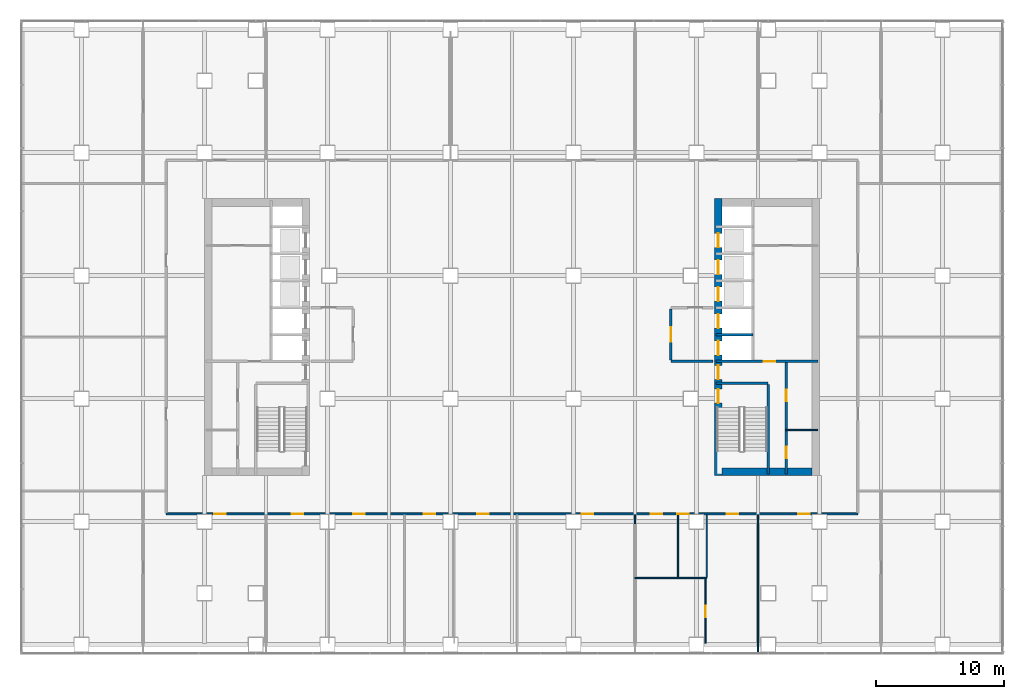
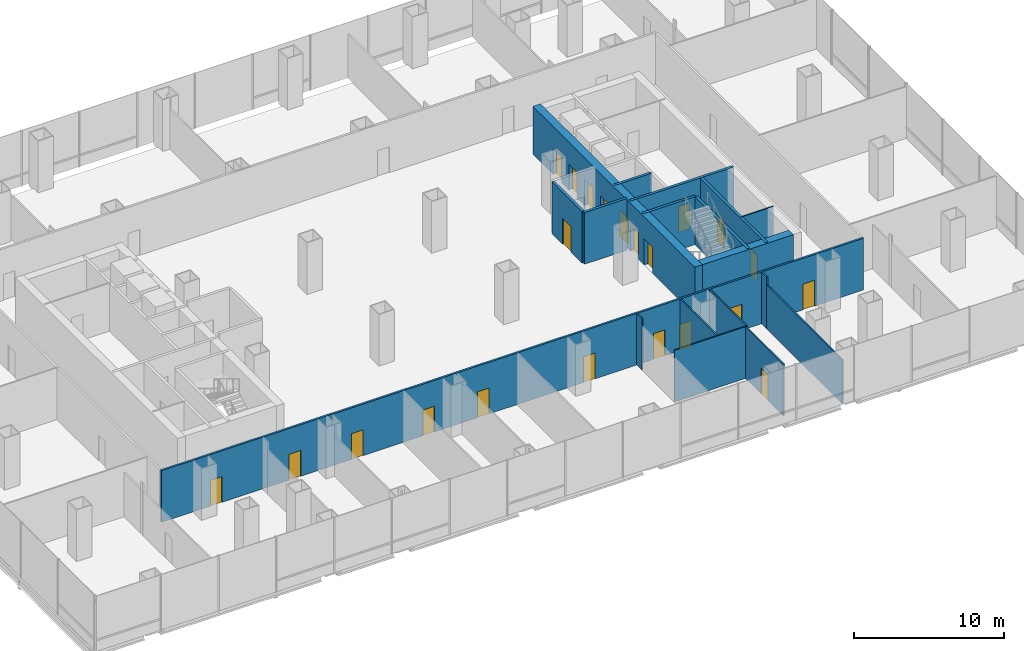
# One storey, part 17 of 23: 22 doors, 18 walls, 22 openings.
"""IFC4 building model written with IfcOpenShell, lengths in metres."""

import ifcopenshell
import ifcopenshell.guid

model = None  # the IFC model being written
_history = None  # IfcOwnerHistory: only IFC2X3 demands one
_inside = {}  # id of a spatial element -> (the spatial element, [elements in it])
_under = {}  # id of a project, library or spatial element -> (it, [spatial elements below it])
_declared = {}  # id of a project -> (the project, [libraries it declares])
_typed = {}  # id of a type object -> (the type object, [elements of that type])
_made_of = {}  # id of a material, layer set ... -> (it, [elements and type objects made of it])


def new_model(schema):
    """Start an empty IFC model of exactly this schema.

    Asked for "IFC4X3", IfcOpenShell would pick the latest addendum, in which some entities
    have other attributes; the version numbers below select the first issue.
    IFC2X3 requires an IfcOwnerHistory on every rooted entity: one is made here for all.
    """
    global model, _history
    if schema == "IFC4X3":
        model = ifcopenshell.file(schema_version=(4, 3, 0, 0))
    else:
        model = ifcopenshell.file(schema=schema)
    _inside.clear()
    _under.clear()
    _declared.clear()
    _typed.clear()
    _made_of.clear()
    _history = None
    if model.schema == "IFC2X3":
        org = make("IfcOrganization", Name="unknown")
        user = make(
            "IfcPersonAndOrganization",
            ThePerson=make("IfcPerson", FamilyName="unknown"),
            TheOrganization=org,
        )
        app = make(
            "IfcApplication",
            ApplicationDeveloper=org,
            Version="unknown",
            ApplicationFullName="unknown",
            ApplicationIdentifier="unknown",
        )
        _history = make(
            "IfcOwnerHistory",
            OwningUser=user,
            OwningApplication=app,
            ChangeAction="ADDED",
            CreationDate=0,
        )
    return model


def make(cls, **values):
    """One entity of the class cls with the attributes given. An attribute that is None is left unset."""
    return model.create_entity(
        cls, **{name: value for name, value in values.items() if value is not None}
    )


def rooted(cls, **values):
    """An entity with a GlobalId (a new one), such as an element, a storey or a relation."""
    return make(cls, GlobalId=ifcopenshell.guid.new(), OwnerHistory=_history, **values)


def si_unit(unit_type, name, prefix=None):
    """IfcSIUnit, for example si_unit("LENGTHUNIT", "METRE", prefix="MILLI")."""
    return make("IfcSIUnit", UnitType=unit_type, Prefix=prefix, Name=name)


def assignment(units):
    """IfcUnitAssignment: the units of a project."""
    return None if units is None else make("IfcUnitAssignment", Units=units)


def point(xyz):
    """IfcCartesianPoint."""
    return None if xyz is None else make("IfcCartesianPoint", Coordinates=xyz)


def direction(xyz):
    """IfcDirection."""
    return None if xyz is None else make("IfcDirection", DirectionRatios=xyz)


def frame(location, z_axis=None, x_axis=None):
    """IfcAxis2Placement3D, a coordinate frame: its origin and axes. An axis left out is left unset."""
    return make(
        "IfcAxis2Placement3D",
        Location=point(location),
        Axis=direction(z_axis),
        RefDirection=direction(x_axis),
    )


def frame_2d(location, x_axis=None):
    """IfcAxis2Placement2D, a coordinate frame in the plane: its origin and x axis."""
    return make(
        "IfcAxis2Placement2D", Location=point(location), RefDirection=direction(x_axis)
    )


def origin():
    """The frame at (0, 0, 0) with its axes left unset."""
    return frame((0.0, 0.0, 0.0))


def place(relative_to, where):
    """IfcLocalPlacement: puts the frame where relative to a parent placement (None: the world)."""
    return make(
        "IfcLocalPlacement", PlacementRelTo=relative_to, RelativePlacement=where
    )


def context(
    kind, dimensions, precision=None, world=None, true_north=None, identifier=None
):
    """IfcGeometricRepresentationContext, for example the 3D "Model" context."""
    return make(
        "IfcGeometricRepresentationContext",
        ContextIdentifier=identifier,
        ContextType=kind,
        CoordinateSpaceDimension=dimensions,
        Precision=precision,
        WorldCoordinateSystem=world,
        TrueNorth=true_north,
    )


def subcontext(parent, identifier, kind, view, scale=None):
    """IfcGeometricRepresentationSubContext, for example "Body" below "Model"."""
    return make(
        "IfcGeometricRepresentationSubContext",
        ContextIdentifier=identifier,
        ContextType=kind,
        ParentContext=parent,
        TargetScale=scale,
        TargetView=view,
    )


def project(units=None, contexts=None):
    """IfcProject with its units and contexts."""
    return rooted(
        "IfcProject",
        Name="project",
        RepresentationContexts=contexts,
        UnitsInContext=assignment(units),
    )


def spatial(cls, under=None, at=None, **own):
    """A site, building, storey or space (cls), placed at a placement, below another one or the project."""
    s = rooted(cls, ObjectPlacement=at, **own)
    if under is not None:
        _under.setdefault(under.id(), (under, []))[1].append(s)
    return s


def profile(cls, at=None, kind="AREA", **sizes):
    """A parametric profile (cls). Its sizes go by their IFC names, for example OverallWidth=200.0."""
    return make(cls, ProfileType=kind, Position=at, **sizes)


def rectangle(**sizes):
    """IfcRectangleProfileDef."""
    return profile("IfcRectangleProfileDef", **sizes)


def extrude(swept, where, along, depth):
    """IfcExtrudedAreaSolid: the profile swept, set in the frame where, extruded along a direction by depth."""
    return make(
        "IfcExtrudedAreaSolid",
        SweptArea=swept,
        Position=where,
        ExtrudedDirection=direction(along),
        Depth=depth,
    )


def shape(context_of_items, identifier, shape_type, items):
    """IfcShapeRepresentation: the items that make up one representation, for example the "Body"."""
    return make(
        "IfcShapeRepresentation",
        ContextOfItems=context_of_items,
        RepresentationIdentifier=identifier,
        RepresentationType=shape_type,
        Items=items,
    )


def material(Name=None, Category=None):
    """IfcMaterial."""
    return make("IfcMaterial", Name=Name, Category=Category)


def layer(
    of_material, thickness, ventilated=None, Name=None, Category=None, Priority=None
):
    """IfcMaterialLayer: one layer of a wall or slab, of a material (None: an air gap)."""
    return make(
        "IfcMaterialLayer",
        Material=of_material,
        LayerThickness=thickness,
        IsVentilated=ventilated,
        Name=Name,
        Category=Category,
        Priority=Priority,
    )


def layer_set(layers, Name=None):
    """IfcMaterialLayerSet."""
    return make("IfcMaterialLayerSet", MaterialLayers=layers, LayerSetName=Name)


def made_of(thing, what):
    """Note that an element or type object is made of a material, layer set ...; save() writes the relation."""
    if what is not None:
        _made_of.setdefault(what.id(), (what, []))[1].append(thing)
    return thing


def type_object(cls, material=None, **own):
    """A type object (cls), such as IfcWallType, which elements share."""
    return made_of(rooted(cls, **own), material)


def element(
    cls,
    number,
    at=None,
    inside=None,
    cuts=None,
    type_object=None,
    material=None,
    context=None,
    identifier="Body",
    shape_type=None,
    held_by="IfcProductDefinitionShape",
    body=None,
    shapes=None,
    **own,
):
    """One element of the class cls, such as IfcWall. Its Tag is "e" and its number.

    at: its placement. inside: the storey or other place that contains it. cuts: it is an
    opening in that element (IfcRelVoidsElement). A single representation is given by context,
    identifier, shape_type and body (its items); several are given by shapes. held_by: the class
    of the entity that holds the representations. save() writes the other relations.
    """
    e = rooted(cls, Tag="e%d" % number, ObjectPlacement=at, **own)
    if body is not None:
        shapes = [shape(context, identifier, shape_type, body)]
    if shapes is not None:
        e.Representation = make(held_by, Representations=shapes)
    if inside is not None:
        _inside.setdefault(inside.id(), (inside, []))[1].append(e)
    if cuts is not None:
        rooted(
            "IfcRelVoidsElement", RelatingBuildingElement=cuts, RelatedOpeningElement=e
        )
    if type_object is not None:
        _typed.setdefault(type_object.id(), (type_object, []))[1].append(e)
    return made_of(e, material)


def fill(opening, filler):
    """IfcRelFillsElement: the door or window that sits in an opening."""
    return rooted(
        "IfcRelFillsElement",
        RelatingOpeningElement=opening,
        RelatedBuildingElement=filler,
    )


def aggregate(whole, parts):
    """IfcRelAggregates: a whole, such as a stair, and the parts it consists of."""
    return rooted("IfcRelAggregates", RelatingObject=whole, RelatedObjects=parts)


def save(model, path):
    """Write the relations noted so far, then the file.

    IfcRelAggregates (storeys below a building ...), IfcRelContainedInSpatialStructure (elements
    in a storey), IfcRelDefinesByType, IfcRelAssociatesMaterial and IfcRelDeclares: one each for
    every whole, place, type object, material and project.
    """
    for whole, parts in _under.values():
        aggregate(whole, parts)
    for where, things in _inside.values():
        rooted(
            "IfcRelContainedInSpatialStructure",
            RelatedElements=things,
            RelatingStructure=where,
        )
    for kind, things in _typed.values():
        rooted("IfcRelDefinesByType", RelatedObjects=things, RelatingType=kind)
    for what, things in _made_of.values():
        rooted("IfcRelAssociatesMaterial", RelatedObjects=things, RelatingMaterial=what)
    for by, libraries in _declared.values():
        rooted("IfcRelDeclares", RelatingContext=by, RelatedDefinitions=libraries)
    model.write(path)


model = new_model("IFC4")

# Units and contexts
model_context = context("Model", 3, precision=1e-05, world=origin(), true_north=direction((0.0, 1.0)))
body_context = subcontext(model_context, "Body", "Model", "MODEL_VIEW")
ifc_project = project(units=[si_unit("LENGTHUNIT", "METRE"), si_unit("AREAUNIT", "SQUARE_METRE"), si_unit("VOLUMEUNIT", "CUBIC_METRE"), si_unit("PLANEANGLEUNIT", "RADIAN"), si_unit("MASSUNIT", "GRAM", prefix="KILO")], contexts=[model_context])

# Site, building, storey
site_placement = place(None, origin())
site = spatial("IfcSite", under=ifc_project, at=site_placement, CompositionType="ELEMENT")
building_placement = place(site_placement, origin())
building = spatial("IfcBuilding", under=site, at=building_placement, Name="Cobrizo Arcos Hotel Tower", CompositionType="ELEMENT")
storey_placement = place(building_placement, frame((0.0, 0.0, 29.0)))
storey = spatial("IfcBuildingStorey", under=building, at=storey_placement, Name="L05", CompositionType="ELEMENT", Elevation=29.0)

# Wall, openings, doors
ifc_material_1 = material(Name="Gypsum board partition")
ifc_layer_1 = layer(ifc_material_1, 0.14990234375)
ifc_layer_set_1 = layer_set([ifc_layer_1], Name="Corridor wall EI 60 150")
wall_type_1 = type_object("IfcWallType", Name="Corridor wall EI 60 150", PredefinedType="PARTITIONING", material=ifc_layer_set_1)
wall_1_placement = place(storey_placement, frame((-27.0, -13.800048828125, 0.0), z_axis=(0.0, 0.0, 1.0), x_axis=(1.0, 0.0, 0.0)))
wall_1 = element("IfcWall", 1, at=wall_1_placement, inside=storey, type_object=wall_type_1, Name="Partition 002", PredefinedType="PARTITIONING", context=body_context, shape_type="SweptSolid", body=[
    extrude(rectangle(XDim=54.0, YDim=0.14990234375, at=frame_2d((27.0, 0.0))), origin(), (0.0, 0.0, 1.0), 4.199951171875),
])
opening_1_placement = place(wall_1_placement, frame((37.830078125, 0.0, 0.0)))
opening_1 = element("IfcOpeningElement", 2, at=opening_1_placement, cuts=wall_1, Name="Opening ED-01", PredefinedType="OPENING", context=body_context, shape_type="SweptSolid", body=[
    extrude(rectangle(XDim=0.89990234375, YDim=2.10009765625, at=frame_2d((0.449951171875, 1.050048828125))), frame((0.0, 0.0869140625, 0.0), z_axis=(0.0, -1.0, 0.0), x_axis=(1.0, 0.0, 0.0)), (0.0, 0.0, 1.0), 0.173828125),
])
opening_2_placement = place(wall_1_placement, frame((39.8798828125, 0.0, 0.0)))
opening_2 = element("IfcOpeningElement", 3, at=opening_2_placement, cuts=wall_1, Name="Opening ED-02", PredefinedType="OPENING", context=body_context, shape_type="SweptSolid", body=[
    extrude(rectangle(XDim=0.89990234375, YDim=2.10009765625, at=frame_2d((0.449951171875, 1.050048828125))), frame((0.0, 0.0869140625, 0.0), z_axis=(0.0, -1.0, 0.0), x_axis=(1.0, 0.0, 0.0)), (0.0, 0.0, 1.0), 0.173828125),
])
opening_3_placement = place(wall_1_placement, frame((43.75, 0.0, 0.0)))
opening_3 = element("IfcOpeningElement", 4, at=opening_3_placement, cuts=wall_1, Name="Opening RD-10", PredefinedType="OPENING", context=body_context, shape_type="SweptSolid", body=[
    extrude(rectangle(XDim=0.89990234375, YDim=2.10009765625, at=frame_2d((0.449951171875, 1.050048828125))), frame((0.0, 0.0869140625, 0.0), z_axis=(0.0, -1.0, 0.0), x_axis=(1.0, 0.0, 0.0)), (0.0, 0.0, 1.0), 0.173828125),
])
opening_4_placement = place(wall_1_placement, frame((9.801025390625, 0.0, 0.0)))
opening_4 = element("IfcOpeningElement", 5, at=opening_4_placement, cuts=wall_1, Name="Opening RD-11", PredefinedType="OPENING", context=body_context, shape_type="SweptSolid", body=[
    extrude(rectangle(XDim=0.89990234375, YDim=2.10009765625, at=frame_2d((0.449951171875, 1.050048828125))), frame((0.0, 0.0869140625, 0.0), z_axis=(0.0, -1.0, 0.0), x_axis=(1.0, 0.0, 0.0)), (0.0, 0.0, 1.0), 0.173828125),
])
opening_5_placement = place(wall_1_placement, frame((14.60107421875, 0.0, 0.0)))
opening_5 = element("IfcOpeningElement", 6, at=opening_5_placement, cuts=wall_1, Name="Opening RD-12", PredefinedType="OPENING", context=body_context, shape_type="SweptSolid", body=[
    extrude(rectangle(XDim=0.89990234375, YDim=2.10009765625, at=frame_2d((0.449951171875, 1.050048828125))), frame((0.0, 0.0869140625, 0.0), z_axis=(0.0, -1.0, 0.0), x_axis=(1.0, 0.0, 0.0)), (0.0, 0.0, 1.0), 0.173828125),
])
opening_6_placement = place(wall_1_placement, frame((20.094970703125, 0.0, 0.0)))
opening_6 = element("IfcOpeningElement", 7, at=opening_6_placement, cuts=wall_1, Name="Opening RD-13", PredefinedType="OPENING", context=body_context, shape_type="SweptSolid", body=[
    extrude(rectangle(XDim=0.89990234375, YDim=2.10009765625, at=frame_2d((0.449951171875, 1.050048828125))), frame((0.0, 0.0869140625, 0.0), z_axis=(0.0, -1.0, 0.0), x_axis=(1.0, 0.0, 0.0)), (0.0, 0.0, 1.0), 0.173828125),
])
opening_7_placement = place(wall_1_placement, frame((24.302978515625, 0.0, 0.0)))
opening_7 = element("IfcOpeningElement", 8, at=opening_7_placement, cuts=wall_1, Name="Opening RD-14", PredefinedType="OPENING", context=body_context, shape_type="SweptSolid", body=[
    extrude(rectangle(XDim=0.89990234375, YDim=2.10009765625, at=frame_2d((0.449951171875, 1.050048828125))), frame((0.0, 0.0869140625, 0.0), z_axis=(0.0, -1.0, 0.0), x_axis=(1.0, 0.0, 0.0)), (0.0, 0.0, 1.0), 0.173828125),
])
opening_8_placement = place(wall_1_placement, frame((3.75, 0.0, 0.0)))
opening_8 = element("IfcOpeningElement", 9, at=opening_8_placement, cuts=wall_1, Name="Opening RD-15", PredefinedType="OPENING", context=body_context, shape_type="SweptSolid", body=[
    extrude(rectangle(XDim=0.89990234375, YDim=2.10009765625, at=frame_2d((0.449951171875, 1.050048828125))), frame((0.0, 0.0869140625, 0.0), z_axis=(0.0, -1.0, 0.0), x_axis=(1.0, 0.0, 0.0)), (0.0, 0.0, 1.0), 0.173828125),
])
opening_9_placement = place(wall_1_placement, frame((49.35009765625, 0.0, 0.0)))
opening_9 = element("IfcOpeningElement", 10, at=opening_9_placement, cuts=wall_1, Name="Opening RD-19", PredefinedType="OPENING", context=body_context, shape_type="SweptSolid", body=[
    extrude(rectangle(XDim=0.89990234375, YDim=2.10009765625, at=frame_2d((0.449951171875, 1.050048828125))), frame((0.0, 0.0869140625, 0.0), z_axis=(0.0, -1.0, 0.0), x_axis=(1.0, 0.0, 0.0)), (0.0, 0.0, 1.0), 0.173828125),
])
opening_10_placement = place(wall_1_placement, frame((32.4541015625, 0.0, 0.0)))
opening_10 = element("IfcOpeningElement", 11, at=opening_10_placement, cuts=wall_1, Name="Opening RD-25", PredefinedType="OPENING", context=body_context, shape_type="SweptSolid", body=[
    extrude(rectangle(XDim=0.89990234375, YDim=2.10009765625, at=frame_2d((0.449951171875, 1.050048828125))), frame((0.0, 0.0869140625, 0.0), z_axis=(0.0, -1.0, 0.0), x_axis=(1.0, 0.0, 0.0)), (0.0, 0.0, 1.0), 0.173828125),
])
ifc_material_2 = material(Name="Timber door leaf", Category="wood")
door_type_1 = type_object("IfcDoorType", Name="En-suite door 900x2100", OperationType="SINGLE_SWING_LEFT", PredefinedType="DOOR", material=ifc_material_2)
door_1_placement = place(opening_1_placement, origin())
door_1 = element("IfcDoor", 12, at=door_1_placement, inside=storey, type_object=door_type_1, Name="Door ED-01", OperationType="SINGLE_SWING_RIGHT", OverallHeight=2.10009765625, OverallWidth=0.89990234375, PredefinedType="DOOR", context=body_context, shape_type="SweptSolid", body=[
    extrude(rectangle(XDim=0.89990234375, YDim=2.10009765625, at=frame_2d((0.449951171875, 1.050048828125))), frame((0.0, 0.02490234375, 0.0), z_axis=(0.0, -1.0, 0.0), x_axis=(1.0, 0.0, 0.0)), (0.0, 0.0, 1.0), 0.050048828125),
])
fill(opening_1, door_1)
door_2_placement = place(opening_2_placement, origin())
door_2 = element("IfcDoor", 13, at=door_2_placement, inside=storey, type_object=door_type_1, Name="Door ED-02", OperationType="SINGLE_SWING_RIGHT", OverallHeight=2.10009765625, OverallWidth=0.89990234375, PredefinedType="DOOR", context=body_context, shape_type="SweptSolid", body=[
    extrude(rectangle(XDim=0.89990234375, YDim=2.10009765625, at=frame_2d((0.449951171875, 1.050048828125))), frame((0.0, 0.02490234375, 0.0), z_axis=(0.0, -1.0, 0.0), x_axis=(1.0, 0.0, 0.0)), (0.0, 0.0, 1.0), 0.050048828125),
])
fill(opening_2, door_2)
door_type_2 = type_object("IfcDoorType", Name="Room door FD30 900x2100", OperationType="SINGLE_SWING_LEFT", PredefinedType="DOOR", material=ifc_material_2)
door_3_placement = place(opening_3_placement, origin())
door_3 = element("IfcDoor", 14, at=door_3_placement, inside=storey, type_object=door_type_2, Name="Door RD-10", OperationType="SINGLE_SWING_LEFT", OverallHeight=2.10009765625, OverallWidth=0.89990234375, PredefinedType="DOOR", context=body_context, shape_type="SweptSolid", body=[
    extrude(rectangle(XDim=0.89990234375, YDim=2.10009765625, at=frame_2d((0.449951171875, 1.050048828125))), frame((0.0, 0.02490234375, 0.0), z_axis=(0.0, -1.0, 0.0), x_axis=(1.0, 0.0, 0.0)), (0.0, 0.0, 1.0), 0.050048828125),
])
fill(opening_3, door_3)
door_4_placement = place(opening_4_placement, origin())
door_4 = element("IfcDoor", 15, at=door_4_placement, inside=storey, type_object=door_type_2, Name="Door RD-11", OperationType="SINGLE_SWING_RIGHT", OverallHeight=2.10009765625, OverallWidth=0.89990234375, PredefinedType="DOOR", context=body_context, shape_type="SweptSolid", body=[
    extrude(rectangle(XDim=0.89990234375, YDim=2.10009765625, at=frame_2d((0.449951171875, 1.050048828125))), frame((0.0, 0.02490234375, 0.0), z_axis=(0.0, -1.0, 0.0), x_axis=(1.0, 0.0, 0.0)), (0.0, 0.0, 1.0), 0.050048828125),
])
fill(opening_4, door_4)
door_5_placement = place(opening_5_placement, origin())
door_5 = element("IfcDoor", 16, at=door_5_placement, inside=storey, type_object=door_type_2, Name="Door RD-12", OperationType="SINGLE_SWING_RIGHT", OverallHeight=2.10009765625, OverallWidth=0.89990234375, PredefinedType="DOOR", context=body_context, shape_type="SweptSolid", body=[
    extrude(rectangle(XDim=0.89990234375, YDim=2.10009765625, at=frame_2d((0.449951171875, 1.050048828125))), frame((0.0, 0.02490234375, 0.0), z_axis=(0.0, -1.0, 0.0), x_axis=(1.0, 0.0, 0.0)), (0.0, 0.0, 1.0), 0.050048828125),
])
fill(opening_5, door_5)
door_6_placement = place(opening_6_placement, origin())
door_6 = element("IfcDoor", 17, at=door_6_placement, inside=storey, type_object=door_type_2, Name="Door RD-13", OperationType="SINGLE_SWING_RIGHT", OverallHeight=2.10009765625, OverallWidth=0.89990234375, PredefinedType="DOOR", context=body_context, shape_type="SweptSolid", body=[
    extrude(rectangle(XDim=0.89990234375, YDim=2.10009765625, at=frame_2d((0.449951171875, 1.050048828125))), frame((0.0, 0.02490234375, 0.0), z_axis=(0.0, -1.0, 0.0), x_axis=(1.0, 0.0, 0.0)), (0.0, 0.0, 1.0), 0.050048828125),
])
fill(opening_6, door_6)
door_7_placement = place(opening_7_placement, origin())
door_7 = element("IfcDoor", 18, at=door_7_placement, inside=storey, type_object=door_type_2, Name="Door RD-14", OperationType="SINGLE_SWING_LEFT", OverallHeight=2.10009765625, OverallWidth=0.89990234375, PredefinedType="DOOR", context=body_context, shape_type="SweptSolid", body=[
    extrude(rectangle(XDim=0.89990234375, YDim=2.10009765625, at=frame_2d((0.449951171875, 1.050048828125))), frame((0.0, 0.02490234375, 0.0), z_axis=(0.0, -1.0, 0.0), x_axis=(1.0, 0.0, 0.0)), (0.0, 0.0, 1.0), 0.050048828125),
])
fill(opening_7, door_7)
door_8_placement = place(opening_8_placement, origin())
door_8 = element("IfcDoor", 19, at=door_8_placement, inside=storey, type_object=door_type_2, Name="Door RD-15", OperationType="SINGLE_SWING_RIGHT", OverallHeight=2.10009765625, OverallWidth=0.89990234375, PredefinedType="DOOR", context=body_context, shape_type="SweptSolid", body=[
    extrude(rectangle(XDim=0.89990234375, YDim=2.10009765625, at=frame_2d((0.449951171875, 1.050048828125))), frame((0.0, 0.02490234375, 0.0), z_axis=(0.0, -1.0, 0.0), x_axis=(1.0, 0.0, 0.0)), (0.0, 0.0, 1.0), 0.050048828125),
])
fill(opening_8, door_8)
door_9_placement = place(opening_9_placement, origin())
door_9 = element("IfcDoor", 20, at=door_9_placement, inside=storey, type_object=door_type_2, Name="Door RD-19", OperationType="SINGLE_SWING_RIGHT", OverallHeight=2.10009765625, OverallWidth=0.89990234375, PredefinedType="DOOR", context=body_context, shape_type="SweptSolid", body=[
    extrude(rectangle(XDim=0.89990234375, YDim=2.10009765625, at=frame_2d((0.449951171875, 1.050048828125))), frame((0.0, 0.02490234375, 0.0), z_axis=(0.0, -1.0, 0.0), x_axis=(1.0, 0.0, 0.0)), (0.0, 0.0, 1.0), 0.050048828125),
])
fill(opening_9, door_9)
door_10_placement = place(opening_10_placement, origin())
door_10 = element("IfcDoor", 21, at=door_10_placement, inside=storey, type_object=door_type_2, Name="Door RD-25", OperationType="SINGLE_SWING_RIGHT", OverallHeight=2.10009765625, OverallWidth=0.89990234375, PredefinedType="DOOR", context=body_context, shape_type="SweptSolid", body=[
    extrude(rectangle(XDim=0.89990234375, YDim=2.10009765625, at=frame_2d((0.449951171875, 1.050048828125))), frame((0.0, 0.02490234375, 0.0), z_axis=(0.0, -1.0, 0.0), x_axis=(1.0, 0.0, 0.0)), (0.0, 0.0, 1.0), 0.050048828125),
])
fill(opening_10, door_10)

# Walls
ifc_layer_2 = layer(ifc_material_1, 0.10009765625)
ifc_layer_set_2 = layer_set([ifc_layer_2], Name="Partition EI 30 100")
wall_type_2 = type_object("IfcWallType", Name="Partition EI 30 100", PredefinedType="PARTITIONING", material=ifc_layer_set_2)
wall_2_placement = place(storey_placement, frame((9.60009765625, -18.800048828125, 0.0), z_axis=(0.0, 0.0, 1.0), x_axis=(1.0, 0.0, 0.0)))
element("IfcWall", 22, at=wall_2_placement, inside=storey, type_object=wall_type_2, Name="Partition 001", PredefinedType="PARTITIONING", context=body_context, shape_type="SweptSolid", body=[
    extrude(rectangle(XDim=5.599853515625, YDim=0.10009765625, at=frame_2d((2.7998046875, 0.0))), origin(), (0.0, 0.0, 1.0), 4.199951171875),
])
wall_3_placement = place(storey_placement, frame((21.39990234375, -7.25, 0.0), z_axis=(0.0, 0.0, 1.0), x_axis=(1.0, 0.0, 0.0)))
element("IfcWall", 23, at=wall_3_placement, inside=storey, type_object=wall_type_2, Name="Partition 006", PredefinedType="PARTITIONING", context=body_context, shape_type="SweptSolid", body=[
    extrude(rectangle(XDim=2.47998046875, YDim=0.10009765625, at=frame_2d((1.239990234375, 0.0))), origin(), (0.0, 0.0, 1.0), 3.89990234375),
])
wall_4_placement = place(storey_placement, frame((9.60009765625, -14.553955078125, 0.0), z_axis=(0.0, 0.0, 1.0), x_axis=(0.0, 1.0, 0.0)))
element("IfcWall", 24, at=wall_4_placement, inside=storey, type_object=wall_type_2, Name="Partition 057", PredefinedType="PARTITIONING", context=body_context, shape_type="SweptSolid", body=[
    extrude(rectangle(XDim=0.678955078125, YDim=0.10009765625, at=frame_2d((0.33935546875, 0.0))), origin(), (0.0, 0.0, 1.0), 4.199951171875),
])
wall_5_placement = place(storey_placement, frame((12.949951171875, -18.75, 0.0), z_axis=(0.0, 0.0, 1.0), x_axis=(0.0, 1.0, 0.0)))
element("IfcWall", 25, at=wall_5_placement, inside=storey, type_object=wall_type_2, Name="Partition 061", PredefinedType="PARTITIONING", context=body_context, shape_type="SweptSolid", body=[
    extrude(rectangle(XDim=4.875, YDim=0.10009765625, at=frame_2d((2.4375, 0.0))), origin(), (0.0, 0.0, 1.0), 4.199951171875),
])

# Wall, opening, door
wall_6_placement = place(storey_placement, frame((15.10009765625, -23.8798828125, 0.0), z_axis=(0.0, 0.0, 1.0), x_axis=(0.0, 1.0, 0.0)))
wall_6 = element("IfcWall", 26, at=wall_6_placement, inside=storey, type_object=wall_type_2, Name="Partition 062", PredefinedType="PARTITIONING", context=body_context, shape_type="SweptSolid", body=[
    extrude(rectangle(XDim=5.02978515625, YDim=0.10009765625, at=frame_2d((2.514892578125, 0.0))), origin(), (0.0, 0.0, 1.0), 4.199951171875),
])
opening_11_placement = place(wall_6_placement, frame((2.030029296875, 0.0, 0.0)))
opening_11 = element("IfcOpeningElement", 27, at=opening_11_placement, cuts=wall_6, Name="Opening RD-26", PredefinedType="OPENING", context=body_context, shape_type="SweptSolid", body=[
    extrude(rectangle(XDim=0.89990234375, YDim=2.10009765625, at=frame_2d((0.449951171875, 1.050048828125))), frame((0.0, 0.06201171875, 0.0), z_axis=(0.0, -1.0, 0.0), x_axis=(1.0, 0.0, 0.0)), (0.0, 0.0, 1.0), 0.1240234375),
])
door_11_placement = place(opening_11_placement, origin())
door_11 = element("IfcDoor", 28, at=door_11_placement, inside=storey, type_object=door_type_2, Name="Door RD-26", OperationType="SINGLE_SWING_LEFT", OverallHeight=2.10009765625, OverallWidth=0.89990234375, PredefinedType="DOOR", context=body_context, shape_type="SweptSolid", body=[
    extrude(rectangle(XDim=0.89990234375, YDim=2.10009765625, at=frame_2d((0.449951171875, 1.050048828125))), frame((0.0, 0.02490234375, 0.0), z_axis=(0.0, -1.0, 0.0), x_axis=(1.0, 0.0, 0.0)), (0.0, 0.0, 1.0), 0.050048828125),
])
fill(opening_11, door_11)

# Walls
wall_7_placement = place(storey_placement, frame((15.199951171875, -18.75, 0.0), z_axis=(0.0, 0.0, 1.0), x_axis=(0.0, 1.0, 0.0)))
element("IfcWall", 29, at=wall_7_placement, inside=storey, type_object=wall_type_2, Name="Partition 063", PredefinedType="PARTITIONING", context=body_context, shape_type="SweptSolid", body=[
    extrude(rectangle(XDim=4.875, YDim=0.10009765625, at=frame_2d((2.4375, 0.0))), origin(), (0.0, 0.0, 1.0), 4.199951171875),
])
wall_8_placement = place(storey_placement, frame((19.199951171875, -24.6298828125, 0.0), z_axis=(0.0, 0.0, 1.0), x_axis=(0.0, 1.0, 0.0)))
element("IfcWall", 30, at=wall_8_placement, inside=storey, type_object=wall_type_2, Name="Partition 065", PredefinedType="PARTITIONING", context=body_context, shape_type="SweptSolid", body=[
    extrude(rectangle(XDim=10.076171875, YDim=0.10009765625, at=frame_2d((5.0380859375, 0.0))), origin(), (0.0, 0.0, 1.0), 3.5830078125),
])
wall_9_placement = place(storey_placement, frame((19.199951171875, -14.553955078125, 0.0), z_axis=(0.0, 0.0, 1.0), x_axis=(0.0, 1.0, 0.0)))
element("IfcWall", 31, at=wall_9_placement, inside=storey, type_object=wall_type_2, Name="Partition 066", PredefinedType="PARTITIONING", context=body_context, shape_type="SweptSolid", body=[
    extrude(rectangle(XDim=0.678955078125, YDim=0.10009765625, at=frame_2d((0.33935546875, 0.0))), origin(), (0.0, 0.0, 1.0), 4.199951171875),
])

# Wall, openings, doors
ifc_material_3 = material(Name="Concrete f'c 60 MPa", Category="concrete")
ifc_layer_3 = layer(ifc_material_3, 0.60009765625)
ifc_layer_set_3 = layer_set([ifc_layer_3], Name="RC core wall 600 f'c 60")
wall_type_3 = type_object("IfcWallType", Name="RC core wall 600 f'c 60", PredefinedType="SHEAR", material=ifc_layer_set_3)
wall_10_placement = place(storey_placement, frame((16.10009765625, -10.800048828125, 0.0), z_axis=(0.0, 0.0, 1.0), x_axis=(0.0, 1.0, 0.0)))
wall_10 = element("IfcWall", 32, at=wall_10_placement, inside=storey, type_object=wall_type_3, Name="Core wall CW1, east core, inner face, L05", PredefinedType="SHEAR", context=body_context, shape_type="SweptSolid", body=[
    extrude(rectangle(XDim=21.60009765625, YDim=0.60009765625, at=frame_2d((10.800048828125, 0.0))), origin(), (0.0, 0.0, 1.0), 3.89990234375),
])
opening_12_placement = place(wall_10_placement, frame((9.39990234375, 0.0, 0.0)))
opening_12 = element("IfcOpeningElement", 33, at=opening_12_placement, cuts=wall_10, Name="Opening LD-06", PredefinedType="OPENING", context=body_context, shape_type="SweptSolid", body=[
    extrude(rectangle(XDim=1.10009765625, YDim=2.10009765625, at=frame_2d((0.550048828125, 1.050048828125))), frame((0.0, 0.31201171875, 0.0), z_axis=(0.0, -1.0, 0.0), x_axis=(1.0, 0.0, 0.0)), (0.0, 0.0, 1.0), 0.6240234375),
])
opening_13_placement = place(wall_10_placement, frame((11.5, 0.0, 0.0)))
opening_13 = element("IfcOpeningElement", 34, at=opening_13_placement, cuts=wall_10, Name="Opening LD-07", PredefinedType="OPENING", context=body_context, shape_type="SweptSolid", body=[
    extrude(rectangle(XDim=1.10009765625, YDim=2.10009765625, at=frame_2d((0.550048828125, 1.050048828125))), frame((0.0, 0.31201171875, 0.0), z_axis=(0.0, -1.0, 0.0), x_axis=(1.0, 0.0, 0.0)), (0.0, 0.0, 1.0), 0.6240234375),
])
opening_14_placement = place(wall_10_placement, frame((13.60009765625, 0.0, 0.0)))
opening_14 = element("IfcOpeningElement", 35, at=opening_14_placement, cuts=wall_10, Name="Opening LD-08", PredefinedType="OPENING", context=body_context, shape_type="SweptSolid", body=[
    extrude(rectangle(XDim=1.10009765625, YDim=2.10009765625, at=frame_2d((0.550048828125, 1.050048828125))), frame((0.0, 0.31201171875, 0.0), z_axis=(0.0, -1.0, 0.0), x_axis=(1.0, 0.0, 0.0)), (0.0, 0.0, 1.0), 0.6240234375),
])
opening_15_placement = place(wall_10_placement, frame((15.699951171875, 0.0, 0.0)))
opening_15 = element("IfcOpeningElement", 36, at=opening_15_placement, cuts=wall_10, Name="Opening LD-09", PredefinedType="OPENING", context=body_context, shape_type="SweptSolid", body=[
    extrude(rectangle(XDim=1.10009765625, YDim=2.10009765625, at=frame_2d((0.550048828125, 1.050048828125))), frame((0.0, 0.31201171875, 0.0), z_axis=(0.0, -1.0, 0.0), x_axis=(1.0, 0.0, 0.0)), (0.0, 0.0, 1.0), 0.6240234375),
])
opening_16_placement = place(wall_10_placement, frame((17.800048828125, 0.0, 0.0)))
opening_16 = element("IfcOpeningElement", 37, at=opening_16_placement, cuts=wall_10, Name="Opening LD-10", PredefinedType="OPENING", context=body_context, shape_type="SweptSolid", body=[
    extrude(rectangle(XDim=1.10009765625, YDim=2.10009765625, at=frame_2d((0.550048828125, 1.050048828125))), frame((0.0, 0.31201171875, 0.0), z_axis=(0.0, -1.0, 0.0), x_axis=(1.0, 0.0, 0.0)), (0.0, 0.0, 1.0), 0.6240234375),
])
opening_17_placement = place(wall_10_placement, frame((5.64208984375, 0.0, 0.0)))
opening_17 = element("IfcOpeningElement", 38, at=opening_17_placement, cuts=wall_10, Name="Opening SD-02", PredefinedType="OPENING", context=body_context, shape_type="SweptSolid", body=[
    extrude(rectangle(XDim=1.10009765625, YDim=2.10009765625, at=frame_2d((0.550048828125, 1.050048828125))), frame((0.0, 0.31201171875, 0.0), z_axis=(0.0, -1.0, 0.0), x_axis=(1.0, 0.0, 0.0)), (0.0, 0.0, 1.0), 0.6240234375),
])
opening_18_placement = place(wall_10_placement, frame((7.5, 0.0, 0.0)))
opening_18 = element("IfcOpeningElement", 39, at=opening_18_placement, cuts=wall_10, Name="Opening FD-04", PredefinedType="OPENING", context=body_context, shape_type="SweptSolid", body=[
    extrude(rectangle(XDim=1.10009765625, YDim=2.10009765625, at=frame_2d((0.550048828125, 1.050048828125))), frame((0.0, 0.31201171875, 0.0), z_axis=(0.0, -1.0, 0.0), x_axis=(1.0, 0.0, 0.0)), (0.0, 0.0, 1.0), 0.6240234375),
])
ifc_material_4 = material(Name="Steel door leaf", Category="steel")
door_type_3 = type_object("IfcDoorType", Name="Fire door FD60 1100x2100", OperationType="SINGLE_SWING_LEFT", PredefinedType="DOOR", material=ifc_material_4)
door_12_placement = place(opening_18_placement, origin())
door_12 = element("IfcDoor", 40, at=door_12_placement, inside=storey, type_object=door_type_3, Name="Door FD-04", OperationType="SINGLE_SWING_LEFT", OverallHeight=2.10009765625, OverallWidth=1.10009765625, PredefinedType="DOOR", context=body_context, shape_type="SweptSolid", body=[
    extrude(rectangle(XDim=1.10009765625, YDim=2.10009765625, at=frame_2d((0.550048828125, 1.050048828125))), frame((0.0, 0.02490234375, 0.0), z_axis=(0.0, -1.0, 0.0), x_axis=(1.0, 0.0, 0.0)), (0.0, 0.0, 1.0), 0.050048828125),
])
fill(opening_18, door_12)
door_type_4 = type_object("IfcDoorType", Name="Lift landing door 1100x2100", OperationType="SLIDING_TO_LEFT", PredefinedType="DOOR", material=ifc_material_4)
door_13_placement = place(opening_12_placement, origin())
door_13 = element("IfcDoor", 41, at=door_13_placement, inside=storey, type_object=door_type_4, Name="Lift landing door LD-06", OperationType="SLIDING_TO_LEFT", OverallHeight=2.10009765625, OverallWidth=1.10009765625, PredefinedType="DOOR", context=body_context, shape_type="SweptSolid", body=[
    extrude(rectangle(XDim=1.10009765625, YDim=2.10009765625, at=frame_2d((0.550048828125, 1.050048828125))), frame((0.0, 0.02490234375, 0.0), z_axis=(0.0, -1.0, 0.0), x_axis=(1.0, 0.0, 0.0)), (0.0, 0.0, 1.0), 0.050048828125),
])
fill(opening_12, door_13)
door_14_placement = place(opening_13_placement, origin())
door_14 = element("IfcDoor", 42, at=door_14_placement, inside=storey, type_object=door_type_4, Name="Lift landing door LD-07", OperationType="SLIDING_TO_LEFT", OverallHeight=2.10009765625, OverallWidth=1.10009765625, PredefinedType="DOOR", context=body_context, shape_type="SweptSolid", body=[
    extrude(rectangle(XDim=1.10009765625, YDim=2.10009765625, at=frame_2d((0.550048828125, 1.050048828125))), frame((0.0, 0.02490234375, 0.0), z_axis=(0.0, -1.0, 0.0), x_axis=(1.0, 0.0, 0.0)), (0.0, 0.0, 1.0), 0.050048828125),
])
fill(opening_13, door_14)
door_15_placement = place(opening_14_placement, origin())
door_15 = element("IfcDoor", 43, at=door_15_placement, inside=storey, type_object=door_type_4, Name="Lift landing door LD-08", OperationType="SLIDING_TO_LEFT", OverallHeight=2.10009765625, OverallWidth=1.10009765625, PredefinedType="DOOR", context=body_context, shape_type="SweptSolid", body=[
    extrude(rectangle(XDim=1.10009765625, YDim=2.10009765625, at=frame_2d((0.550048828125, 1.050048828125))), frame((0.0, 0.02490234375, 0.0), z_axis=(0.0, -1.0, 0.0), x_axis=(1.0, 0.0, 0.0)), (0.0, 0.0, 1.0), 0.050048828125),
])
fill(opening_14, door_15)
door_16_placement = place(opening_15_placement, origin())
door_16 = element("IfcDoor", 44, at=door_16_placement, inside=storey, type_object=door_type_4, Name="Lift landing door LD-09", OperationType="SLIDING_TO_LEFT", OverallHeight=2.10009765625, OverallWidth=1.10009765625, PredefinedType="DOOR", context=body_context, shape_type="SweptSolid", body=[
    extrude(rectangle(XDim=1.10009765625, YDim=2.10009765625, at=frame_2d((0.550048828125, 1.050048828125))), frame((0.0, 0.02490234375, 0.0), z_axis=(0.0, -1.0, 0.0), x_axis=(1.0, 0.0, 0.0)), (0.0, 0.0, 1.0), 0.050048828125),
])
fill(opening_15, door_16)
door_17_placement = place(opening_16_placement, origin())
door_17 = element("IfcDoor", 45, at=door_17_placement, inside=storey, type_object=door_type_4, Name="Lift landing door LD-10", OperationType="SLIDING_TO_LEFT", OverallHeight=2.10009765625, OverallWidth=1.10009765625, PredefinedType="DOOR", context=body_context, shape_type="SweptSolid", body=[
    extrude(rectangle(XDim=1.10009765625, YDim=2.10009765625, at=frame_2d((0.550048828125, 1.050048828125))), frame((0.0, 0.02490234375, 0.0), z_axis=(0.0, -1.0, 0.0), x_axis=(1.0, 0.0, 0.0)), (0.0, 0.0, 1.0), 0.050048828125),
])
fill(opening_16, door_17)
door_type_5 = type_object("IfcDoorType", Name="Stair door FD60S 1100x2100", OperationType="SINGLE_SWING_LEFT", PredefinedType="DOOR", material=ifc_material_4)
door_18_placement = place(opening_17_placement, origin())
door_18 = element("IfcDoor", 46, at=door_18_placement, inside=storey, type_object=door_type_5, Name="Door SD-02", OperationType="SINGLE_SWING_LEFT", OverallHeight=2.10009765625, OverallWidth=1.10009765625, PredefinedType="DOOR", context=body_context, shape_type="SweptSolid", body=[
    extrude(rectangle(XDim=1.10009765625, YDim=2.10009765625, at=frame_2d((0.550048828125, 1.050048828125))), frame((0.0, 0.02490234375, 0.0), z_axis=(0.0, -1.0, 0.0), x_axis=(1.0, 0.0, 0.0)), (0.0, 0.0, 1.0), 0.050048828125),
])
fill(opening_17, door_18)

# Walls
wall_11_placement = place(storey_placement, frame((16.39990234375, -10.5, 0.0), z_axis=(0.0, 0.0, 1.0), x_axis=(1.0, 0.0, 0.0)))
element("IfcWall", 47, at=wall_11_placement, inside=storey, type_object=wall_type_3, Name="Core wall CW1, east core, south end, L05", PredefinedType="SHEAR", context=body_context, shape_type="SweptSolid", body=[
    extrude(rectangle(XDim=7.0, YDim=0.60009765625, at=frame_2d((3.5, 0.0))), origin(), (0.0, 0.0, 1.0), 3.89990234375),
])
ifc_layer_4 = layer(ifc_material_1, 0.199951171875)
ifc_layer_set_4 = layer_set([ifc_layer_4], Name="Shaft wall EI 120 200")
wall_type_4 = type_object("IfcWallType", Name="Shaft wall EI 120 200", PredefinedType="PARTITIONING", material=ifc_layer_set_4)
wall_12_placement = place(storey_placement, frame((12.39990234375, -1.89990234375, 0.0), z_axis=(0.0, 0.0, 1.0), x_axis=(1.0, 0.0, 0.0)))
element("IfcWall", 48, at=wall_12_placement, inside=storey, type_object=wall_type_4, Name="Partition 011", PredefinedType="PARTITIONING", context=body_context, shape_type="SweptSolid", body=[
    extrude(rectangle(XDim=3.280029296875, YDim=0.199951171875, at=frame_2d((1.64013671875, 0.0))), origin(), (0.0, 0.0, 1.0), 4.199951171875),
])

# Wall, opening, door
wall_13_placement = place(storey_placement, frame((15.919921875, -1.89990234375, 0.0), z_axis=(0.0, 0.0, 1.0), x_axis=(1.0, 0.0, 0.0)))
wall_13 = element("IfcWall", 49, at=wall_13_placement, inside=storey, type_object=wall_type_4, Name="Partition 012", PredefinedType="PARTITIONING", context=body_context, shape_type="SweptSolid", body=[
    extrude(rectangle(XDim=7.9599609375, YDim=0.199951171875, at=frame_2d((3.97998046875, 0.0))), origin(), (0.0, 0.0, 1.0), 3.89990234375),
])
opening_19_placement = place(wall_13_placement, frame((3.739990234375, 0.0, 0.0)))
opening_19 = element("IfcOpeningElement", 50, at=opening_19_placement, cuts=wall_13, Name="Opening RD-07", PredefinedType="OPENING", context=body_context, shape_type="SweptSolid", body=[
    extrude(rectangle(XDim=0.89990234375, YDim=2.10009765625, at=frame_2d((0.449951171875, 1.050048828125))), frame((0.0, 0.112060546875, 0.0), z_axis=(0.0, -1.0, 0.0), x_axis=(1.0, 0.0, 0.0)), (0.0, 0.0, 1.0), 0.223876953125),
])
door_19_placement = place(opening_19_placement, origin())
door_19 = element("IfcDoor", 51, at=door_19_placement, inside=storey, type_object=door_type_2, Name="Door RD-07", OperationType="SINGLE_SWING_RIGHT", OverallHeight=2.10009765625, OverallWidth=0.89990234375, PredefinedType="DOOR", context=body_context, shape_type="SweptSolid", body=[
    extrude(rectangle(XDim=0.89990234375, YDim=2.10009765625, at=frame_2d((0.449951171875, 1.050048828125))), frame((0.0, 0.02490234375, 0.0), z_axis=(0.0, -1.0, 0.0), x_axis=(1.0, 0.0, 0.0)), (0.0, 0.0, 1.0), 0.050048828125),
])
fill(opening_19, door_19)

# Wall
wall_14_placement = place(storey_placement, frame((15.919921875, 0.199951171875, 0.0), z_axis=(0.0, 0.0, 1.0), x_axis=(1.0, 0.0, 0.0)))
element("IfcWall", 52, at=wall_14_placement, inside=storey, type_object=wall_type_4, Name="Partition 016", PredefinedType="PARTITIONING", context=body_context, shape_type="SweptSolid", body=[
    extrude(rectangle(XDim=2.880126953125, YDim=0.199951171875, at=frame_2d((1.43994140625, 0.0))), origin(), (0.0, 0.0, 1.0), 3.89990234375),
])

# Wall, opening, door
wall_15_placement = place(storey_placement, frame((12.39990234375, -1.800048828125, 0.0), z_axis=(0.0, 0.0, 1.0), x_axis=(0.0, 1.0, 0.0)))
wall_15 = element("IfcWall", 53, at=wall_15_placement, inside=storey, type_object=wall_type_4, Name="Partition 060", PredefinedType="PARTITIONING", context=body_context, shape_type="SweptSolid", body=[
    extrude(rectangle(XDim=4.0, YDim=0.199951171875, at=frame_2d((2.0, 0.0))), origin(), (0.0, 0.0, 1.0), 4.199951171875),
])
opening_20_placement = place(wall_15_placement, frame((1.449951171875, 0.0, 0.0)))
opening_20 = element("IfcOpeningElement", 54, at=opening_20_placement, cuts=wall_15, Name="Opening FD-05", PredefinedType="OPENING", context=body_context, shape_type="SweptSolid", body=[
    extrude(rectangle(XDim=1.10009765625, YDim=2.10009765625, at=frame_2d((0.550048828125, 1.050048828125))), frame((0.0, 0.112060546875, 0.0), z_axis=(0.0, -1.0, 0.0), x_axis=(1.0, 0.0, 0.0)), (0.0, 0.0, 1.0), 0.223876953125),
])
door_20_placement = place(opening_20_placement, origin())
door_20 = element("IfcDoor", 55, at=door_20_placement, inside=storey, type_object=door_type_3, Name="Door FD-05", OperationType="SINGLE_SWING_LEFT", OverallHeight=2.10009765625, OverallWidth=1.10009765625, PredefinedType="DOOR", context=body_context, shape_type="SweptSolid", body=[
    extrude(rectangle(XDim=1.10009765625, YDim=2.10009765625, at=frame_2d((0.550048828125, 1.050048828125))), frame((0.0, 0.02490234375, 0.0), z_axis=(0.0, -1.0, 0.0), x_axis=(1.0, 0.0, 0.0)), (0.0, 0.0, 1.0), 0.050048828125),
])
fill(opening_20, door_20)

# Wall, openings, doors
wall_16_placement = place(storey_placement, frame((21.39990234375, -10.679931640625, 0.0), z_axis=(0.0, 0.0, 1.0), x_axis=(0.0, 1.0, 0.0)))
wall_16 = element("IfcWall", 56, at=wall_16_placement, inside=storey, type_object=wall_type_4, Name="Partition 070", PredefinedType="PARTITIONING", context=body_context, shape_type="SweptSolid", body=[
    extrude(rectangle(XDim=8.679931640625, YDim=0.199951171875, at=frame_2d((4.33984375, 0.0))), origin(), (0.0, 0.0, 1.0), 3.89990234375),
])
opening_21_placement = place(wall_16_placement, frame((1.2099609375, 0.0, 0.0)))
opening_21 = element("IfcOpeningElement", 57, at=opening_21_placement, cuts=wall_16, Name="Opening RD-05", PredefinedType="OPENING", context=body_context, shape_type="SweptSolid", body=[
    extrude(rectangle(XDim=0.89990234375, YDim=2.10009765625, at=frame_2d((0.449951171875, 1.050048828125))), frame((0.0, 0.112060546875, 0.0), z_axis=(0.0, -1.0, 0.0), x_axis=(1.0, 0.0, 0.0)), (0.0, 0.0, 1.0), 0.223876953125),
])
opening_22_placement = place(wall_16_placement, frame((5.659912109375, 0.0, 0.0)))
opening_22 = element("IfcOpeningElement", 58, at=opening_22_placement, cuts=wall_16, Name="Opening RD-06", PredefinedType="OPENING", context=body_context, shape_type="SweptSolid", body=[
    extrude(rectangle(XDim=0.89990234375, YDim=2.10009765625, at=frame_2d((0.449951171875, 1.050048828125))), frame((0.0, 0.112060546875, 0.0), z_axis=(0.0, -1.0, 0.0), x_axis=(1.0, 0.0, 0.0)), (0.0, 0.0, 1.0), 0.223876953125),
])
door_21_placement = place(opening_21_placement, origin())
door_21 = element("IfcDoor", 59, at=door_21_placement, inside=storey, type_object=door_type_2, Name="Door RD-05", OperationType="SINGLE_SWING_RIGHT", OverallHeight=2.10009765625, OverallWidth=0.89990234375, PredefinedType="DOOR", context=body_context, shape_type="SweptSolid", body=[
    extrude(rectangle(XDim=0.89990234375, YDim=2.10009765625, at=frame_2d((0.449951171875, 1.050048828125))), frame((0.0, 0.02490234375, 0.0), z_axis=(0.0, -1.0, 0.0), x_axis=(1.0, 0.0, 0.0)), (0.0, 0.0, 1.0), 0.050048828125),
])
fill(opening_21, door_21)
door_22_placement = place(opening_22_placement, origin())
door_22 = element("IfcDoor", 60, at=door_22_placement, inside=storey, type_object=door_type_2, Name="Door RD-06", OperationType="SINGLE_SWING_LEFT", OverallHeight=2.10009765625, OverallWidth=0.89990234375, PredefinedType="DOOR", context=body_context, shape_type="SweptSolid", body=[
    extrude(rectangle(XDim=0.89990234375, YDim=2.10009765625, at=frame_2d((0.449951171875, 1.050048828125))), frame((0.0, 0.02490234375, 0.0), z_axis=(0.0, -1.0, 0.0), x_axis=(1.0, 0.0, 0.0)), (0.0, 0.0, 1.0), 0.050048828125),
])
fill(opening_22, door_22)

# Walls
ifc_material_5 = material(Name="Concrete f'c 40 MPa", Category="concrete")
ifc_layer_5 = layer(ifc_material_5, 0.199951171875)
ifc_layer_set_5 = layer_set([ifc_layer_5], Name="Stair shaft wall 200")
wall_type_5 = type_object("IfcWallType", Name="Stair shaft wall 200", PredefinedType="SHEAR", material=ifc_layer_set_5)
wall_17_placement = place(storey_placement, frame((15.919921875, -3.60009765625, 0.0), z_axis=(0.0, 0.0, 1.0), x_axis=(1.0, 0.0, 0.0)))
element("IfcWall", 61, at=wall_17_placement, inside=storey, type_object=wall_type_5, Name="Stair shaft wall E", PredefinedType="SHEAR", context=body_context, shape_type="SweptSolid", body=[
    extrude(rectangle(XDim=4.080078125, YDim=0.199951171875, at=frame_2d((2.0400390625, 0.0))), origin(), (0.0, 0.0, 1.0), 3.89990234375),
])
wall_18_placement = place(storey_placement, frame((20.0, -10.679931640625, 0.0), z_axis=(0.0, 0.0, 1.0), x_axis=(0.0, 1.0, 0.0)))
element("IfcWall", 62, at=wall_18_placement, inside=storey, type_object=wall_type_5, Name="Stair shaft wall E", PredefinedType="SHEAR", context=body_context, shape_type="SweptSolid", body=[
    extrude(rectangle(XDim=6.97998046875, YDim=0.199951171875, at=frame_2d((3.489990234375, 0.0))), origin(), (0.0, 0.0, 1.0), 3.89990234375),
])

save(model, "model.ifc")
